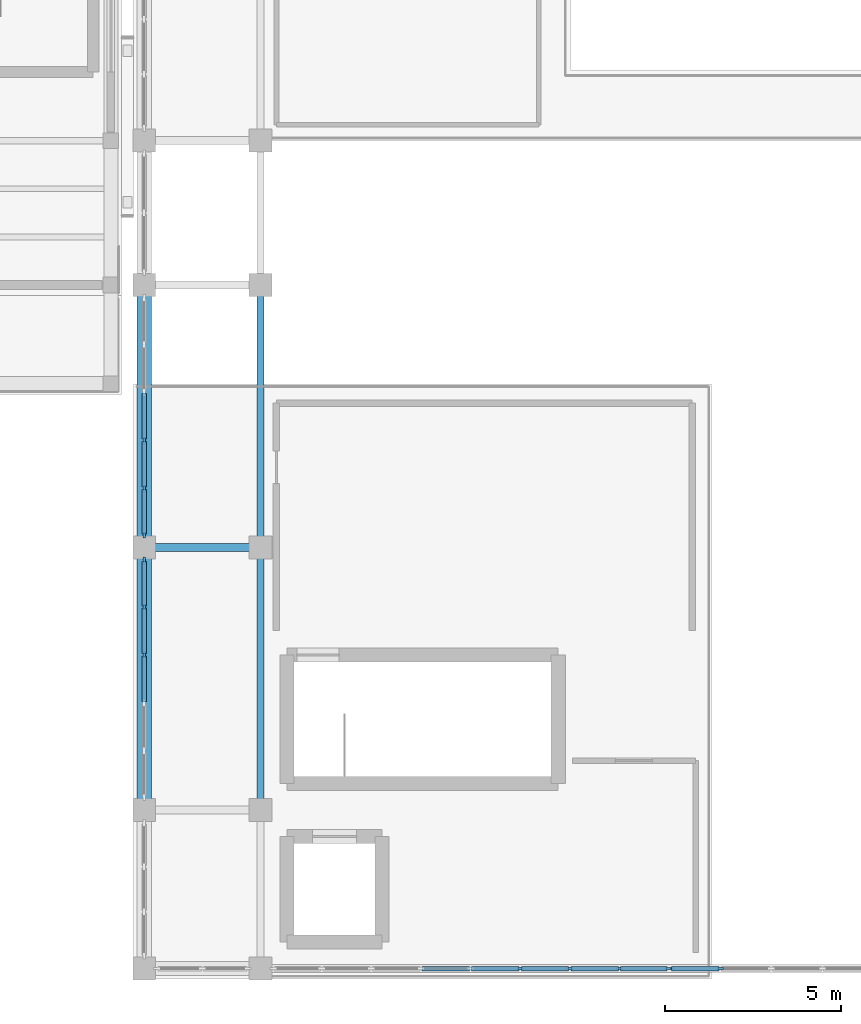
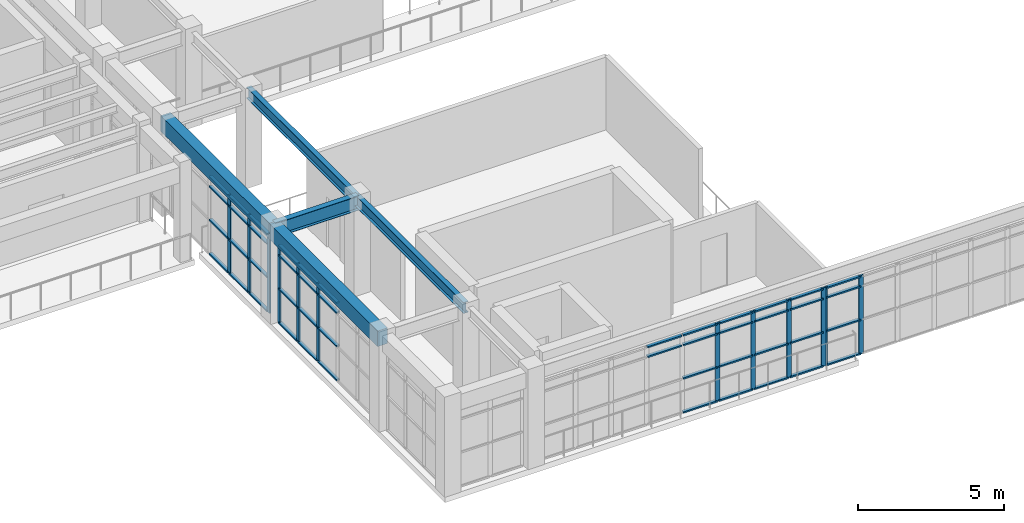
# One storey, part 18 of 66: 58 members, 5 beams, 4 elements without a shape of their own.
"""IFC4 building model written with IfcOpenShell, lengths in metres."""

from ifc_helpers import new_model, si_unit, direction, frame, origin, origin_2d, place, context, subcontext, project, spatial, rectangle, i_section, extrude, material, layer, layer_set, material_profile, profile_set, type_object, element, aggregate, save


model = new_model("IFC4")

# Units and contexts
model_context = context("Model", 3, precision=1e-05, world=origin(), true_north=direction((0.0, 1.0)))
body_context = subcontext(model_context, "Body", "Model", "MODEL_VIEW")
ifc_project = project(units=[si_unit("LENGTHUNIT", "METRE"), si_unit("AREAUNIT", "SQUARE_METRE"), si_unit("VOLUMEUNIT", "CUBIC_METRE"), si_unit("PLANEANGLEUNIT", "RADIAN"), si_unit("MASSUNIT", "GRAM", prefix="KILO")], contexts=[model_context])

# Site, building, storey
site_placement = place(None, origin())
site = spatial("IfcSite", under=ifc_project, at=site_placement, CompositionType="ELEMENT")
building_placement = place(site_placement, origin())
building = spatial("IfcBuilding", under=site, at=building_placement, Name="Candilejo Ridge Gondola Terminal", CompositionType="ELEMENT")
storey_placement = place(building_placement, frame((0.0, 0.0, 14.39990234375)))
storey = spatial("IfcBuildingStorey", under=building, at=storey_placement, Name="L03", CompositionType="ELEMENT", Elevation=14.39990234375)

# Curtain wall, members
ifc_material_1 = material(Name="Anodised aluminium AA 6063-T6", Category="aluminium")
ifc_layer_1 = layer(ifc_material_1, 0.169921875)
ifc_layer_set_1 = layer_set([ifc_layer_1], Name="ARC-CW-HALL-3800-680X329")
curtain_wall_type_1 = type_object("IfcCurtainWallType", Name="ARC-CW-HALL-3800-680X329", PredefinedType="NOTDEFINED", material=ifc_layer_set_1)
curtain_wall_1_placement = place(storey_placement, origin())
curtain_wall_1 = element("IfcCurtainWall", 1, at=curtain_wall_1_placement, inside=storey, type_object=curtain_wall_type_1, Name="Curtain wall V4 L03-154", PredefinedType="NOTDEFINED")
ifc_material_2 = material(Name="Anodised aluminium AA 6063-T6", Category="aluminium")
ifc_material_profile_1 = material_profile(ifc_material_2, rectangle(XDim=0.06494140625, YDim=0.179931640625, at=origin_2d()))
ifc_profile_set_1 = profile_set([ifc_material_profile_1], Name="Anodised aluminium AA 6063-T6")
member_type_1 = type_object("IfcMemberType", Name="ARC-CW-MULLION-180", PredefinedType="MULLION", material=ifc_profile_set_1)
member_1_placement = place(storey_placement, frame((133.89990234375, 15.205078125, 0.0), z_axis=(0.0, 0.0, 1.0), x_axis=(-1.0, 0.0, 0.0)))
member_1 = element("IfcMember", 2, at=member_1_placement, type_object=member_type_1, Name="CW-68X32 mullion 4", PredefinedType="MULLION", context=body_context, shape_type="SweptSolid", body=[
    extrude(rectangle(XDim=0.06494140625, YDim=0.179931640625, at=origin_2d()), origin(), (0.0, 0.0, 1.0), 3.2900390625),
])
member_2_placement = place(storey_placement, frame((133.89990234375, 16.56494140625, 0.0), z_axis=(0.0, 0.0, 1.0), x_axis=(-1.0, 0.0, 0.0)))
member_2 = element("IfcMember", 3, at=member_2_placement, type_object=member_type_1, Name="CW-68X32 mullion 5", PredefinedType="MULLION", context=body_context, shape_type="SweptSolid", body=[
    extrude(rectangle(XDim=0.06494140625, YDim=0.179931640625, at=origin_2d()), origin(), (0.0, 0.0, 1.0), 3.2900390625),
])
member_3_placement = place(storey_placement, frame((133.89990234375, 17.892578125, 0.0), z_axis=(0.0, 0.0, 1.0), x_axis=(-1.0, 0.0, 0.0)))
member_3 = element("IfcMember", 4, at=member_3_placement, type_object=member_type_1, Name="CW-68X32 mullion 6", PredefinedType="MULLION", context=body_context, shape_type="SweptSolid", body=[
    extrude(rectangle(XDim=0.06494140625, YDim=0.179931640625, at=origin_2d()), origin(), (0.0, 0.0, 1.0), 3.2900390625),
])

curtain_wall_2_placement = place(storey_placement, origin())
curtain_wall_2 = element("IfcCurtainWall", 5, at=curtain_wall_2_placement, inside=storey, type_object=curtain_wall_type_1, Name="Curtain wall V4 L03-155", PredefinedType="NOTDEFINED")
member_4_placement = place(storey_placement, frame((133.89990234375, 18.607421875, 0.0), z_axis=(0.0, 0.0, 1.0), x_axis=(-1.0, 0.0, 0.0)))
member_4 = element("IfcMember", 6, at=member_4_placement, type_object=member_type_1, Name="CW-68X32 mullion 1", PredefinedType="MULLION", context=body_context, shape_type="SweptSolid", body=[
    extrude(rectangle(XDim=0.06494140625, YDim=0.179931640625, at=origin_2d()), origin(), (0.0, 0.0, 1.0), 3.2900390625),
])
member_5_placement = place(storey_placement, frame((133.89990234375, 19.93505859375, 0.0), z_axis=(0.0, 0.0, 1.0), x_axis=(-1.0, 0.0, 0.0)))
member_5 = element("IfcMember", 7, at=member_5_placement, type_object=member_type_1, Name="CW-68X32 mullion 2", PredefinedType="MULLION", context=body_context, shape_type="SweptSolid", body=[
    extrude(rectangle(XDim=0.06494140625, YDim=0.179931640625, at=origin_2d()), origin(), (0.0, 0.0, 1.0), 3.2900390625),
])
member_6_placement = place(storey_placement, frame((133.89990234375, 21.294921875, 0.0), z_axis=(0.0, 0.0, 1.0), x_axis=(-1.0, 0.0, 0.0)))
member_6 = element("IfcMember", 8, at=member_6_placement, type_object=member_type_1, Name="CW-68X32 mullion 3", PredefinedType="MULLION", context=body_context, shape_type="SweptSolid", body=[
    extrude(rectangle(XDim=0.06494140625, YDim=0.179931640625, at=origin_2d()), origin(), (0.0, 0.0, 1.0), 3.2900390625),
])

ifc_material_3 = material(Name="Anodised aluminium AA 6063-T6", Category="aluminium")
ifc_layer_2 = layer(ifc_material_3, 0.169921875)
ifc_layer_set_2 = layer_set([ifc_layer_2], Name="ARC-CW-HALL-3800-1128X329")
curtain_wall_type_2 = type_object("IfcCurtainWallType", Name="ARC-CW-HALL-3800-1128X329", PredefinedType="NOTDEFINED", material=ifc_layer_set_2)
curtain_wall_3_placement = place(storey_placement, origin())
curtain_wall_3 = element("IfcCurtainWall", 9, at=curtain_wall_3_placement, inside=storey, type_object=curtain_wall_type_2, Name="Curtain wall V4 L03-166", PredefinedType="NOTDEFINED")
member_7_placement = place(storey_placement, frame((144.57177734375, 6.300048828125, 0.0), z_axis=(0.0, 0.0, 1.0), x_axis=(0.0, 1.0, 0.0)))
member_7 = element("IfcMember", 10, at=member_7_placement, type_object=member_type_1, Name="CW-112X32 mullion 6", PredefinedType="MULLION", context=body_context, shape_type="SweptSolid", body=[
    extrude(rectangle(XDim=0.06494140625, YDim=0.179931640625, at=origin_2d()), origin(), (0.0, 0.0, 1.0), 3.2900390625),
])
member_8_placement = place(storey_placement, frame((145.981201171875, 6.300048828125, 0.0), z_axis=(0.0, 0.0, 1.0), x_axis=(0.0, 1.0, 0.0)))
member_8 = element("IfcMember", 11, at=member_8_placement, type_object=member_type_1, Name="CW-112X32 mullion 7", PredefinedType="MULLION", context=body_context, shape_type="SweptSolid", body=[
    extrude(rectangle(XDim=0.06494140625, YDim=0.179931640625, at=origin_2d()), origin(), (0.0, 0.0, 1.0), 3.2900390625),
])
member_9_placement = place(storey_placement, frame((147.390625, 6.300048828125, 0.0), z_axis=(0.0, 0.0, 1.0), x_axis=(0.0, 1.0, 0.0)))
member_9 = element("IfcMember", 12, at=member_9_placement, type_object=member_type_1, Name="CW-112X32 mullion 8", PredefinedType="MULLION", context=body_context, shape_type="SweptSolid", body=[
    extrude(rectangle(XDim=0.06494140625, YDim=0.179931640625, at=origin_2d()), origin(), (0.0, 0.0, 1.0), 3.2900390625),
])
member_10_placement = place(storey_placement, frame((148.767578125, 6.300048828125, 0.0), z_axis=(0.0, 0.0, 1.0), x_axis=(0.0, 1.0, 0.0)))
member_10 = element("IfcMember", 13, at=member_10_placement, type_object=member_type_1, Name="CW-112X32 mullion 9", PredefinedType="MULLION", context=body_context, shape_type="SweptSolid", body=[
    extrude(rectangle(XDim=0.06494140625, YDim=0.179931640625, at=origin_2d()), origin(), (0.0, 0.0, 1.0), 3.2900390625),
])

ifc_material_4 = material(Name="Anodised aluminium AA 6063-T6", Category="aluminium")
ifc_layer_3 = layer(ifc_material_4, 0.169921875)
ifc_layer_set_3 = layer_set([ifc_layer_3], Name="ARC-CW-HALL-3800-1160X329")
curtain_wall_type_3 = type_object("IfcCurtainWallType", Name="ARC-CW-HALL-3800-1160X329", PredefinedType="NOTDEFINED", material=ifc_layer_set_3)
curtain_wall_4_placement = place(storey_placement, origin())
curtain_wall_4 = element("IfcCurtainWall", 14, at=curtain_wall_4_placement, inside=storey, type_object=curtain_wall_type_3, Name="Curtain wall V4 L03-167", PredefinedType="NOTDEFINED")
member_11_placement = place(storey_placement, frame((148.83251953125, 6.300048828125, 0.0), z_axis=(0.0, 0.0, 1.0), x_axis=(0.0, 1.0, 0.0)))
member_11 = element("IfcMember", 15, at=member_11_placement, type_object=member_type_1, Name="CW-116X32 mullion 1", PredefinedType="MULLION", context=body_context, shape_type="SweptSolid", body=[
    extrude(rectangle(XDim=0.06494140625, YDim=0.179931640625, at=origin_2d()), origin(), (0.0, 0.0, 1.0), 3.2900390625),
])
member_12_placement = place(storey_placement, frame((150.25, 6.300048828125, 0.0), z_axis=(0.0, 0.0, 1.0), x_axis=(0.0, 1.0, 0.0)))
member_12 = element("IfcMember", 16, at=member_12_placement, type_object=member_type_1, Name="CW-116X32 mullion 2", PredefinedType="MULLION", context=body_context, shape_type="SweptSolid", body=[
    extrude(rectangle(XDim=0.06494140625, YDim=0.179931640625, at=origin_2d()), origin(), (0.0, 0.0, 1.0), 3.2900390625),
])

# Member
ifc_material_5 = material(Name="Anodised aluminium AA 6063-T6", Category="aluminium")
ifc_material_profile_2 = material_profile(ifc_material_5, rectangle(XDim=0.1298828125, YDim=0.06005859375, at=origin_2d()))
ifc_profile_set_2 = profile_set([ifc_material_profile_2], Name="Anodised aluminium AA 6063-T6")
member_type_2 = type_object("IfcMemberType", Name="ARC-CW-TRANSOM-130", PredefinedType="USERDEFINED", material=ifc_profile_set_2)
member_13_placement = place(storey_placement, frame((133.89990234375, 13.87744140625, 0.030029296875), z_axis=(0.0, 1.0, 0.0), x_axis=(-1.0, 0.0, 0.0)))
member_13 = element("IfcMember", 17, at=member_13_placement, type_object=member_type_2, Name="CW-68X32 transom 3.1", ObjectType="TRANSOM", PredefinedType="USERDEFINED", context=body_context, shape_type="SweptSolid", body=[
    extrude(rectangle(XDim=0.1298828125, YDim=0.06005859375, at=origin_2d()), origin(), (0.0, 0.0, 1.0), 1.295166015625),
])

member_14_placement = place(storey_placement, frame((133.89990234375, 13.87744140625, 1.4501953125), z_axis=(0.0, 1.0, 0.0), x_axis=(-1.0, 0.0, 0.0)))
member_14 = element("IfcMember", 18, at=member_14_placement, type_object=member_type_2, Name="CW-68X32 transom 3.2", ObjectType="TRANSOM", PredefinedType="USERDEFINED", context=body_context, shape_type="SweptSolid", body=[
    extrude(rectangle(XDim=0.1298828125, YDim=0.06005859375, at=origin_2d()), origin(), (0.0, 0.0, 1.0), 1.295166015625),
])

member_15_placement = place(storey_placement, frame((133.89990234375, 13.87744140625, 2.85009765625), z_axis=(0.0, 1.0, 0.0), x_axis=(-1.0, 0.0, 0.0)))
member_15 = element("IfcMember", 19, at=member_15_placement, type_object=member_type_2, Name="CW-68X32 transom 3.3", ObjectType="TRANSOM", PredefinedType="USERDEFINED", context=body_context, shape_type="SweptSolid", body=[
    extrude(rectangle(XDim=0.1298828125, YDim=0.06005859375, at=origin_2d()), origin(), (0.0, 0.0, 1.0), 1.295166015625),
])

member_16_placement = place(storey_placement, frame((133.89990234375, 13.87744140625, 3.260009765625), z_axis=(0.0, 1.0, 0.0), x_axis=(-1.0, 0.0, 0.0)))
member_16 = element("IfcMember", 20, at=member_16_placement, type_object=member_type_2, Name="CW-68X32 transom 3.4", ObjectType="TRANSOM", PredefinedType="USERDEFINED", context=body_context, shape_type="SweptSolid", body=[
    extrude(rectangle(XDim=0.1298828125, YDim=0.06005859375, at=origin_2d()), origin(), (0.0, 0.0, 1.0), 1.295166015625),
])

member_17_placement = place(storey_placement, frame((133.89990234375, 15.237548828125, 0.030029296875), z_axis=(0.0, 1.0, 0.0), x_axis=(-1.0, 0.0, 0.0)))
member_17 = element("IfcMember", 21, at=member_17_placement, type_object=member_type_2, Name="CW-68X32 transom 4.1", ObjectType="TRANSOM", PredefinedType="USERDEFINED", context=body_context, shape_type="SweptSolid", body=[
    extrude(rectangle(XDim=0.1298828125, YDim=0.06005859375, at=origin_2d()), origin(), (0.0, 0.0, 1.0), 1.294921875),
])

member_18_placement = place(storey_placement, frame((133.89990234375, 15.237548828125, 1.4501953125), z_axis=(0.0, 1.0, 0.0), x_axis=(-1.0, 0.0, 0.0)))
member_18 = element("IfcMember", 22, at=member_18_placement, type_object=member_type_2, Name="CW-68X32 transom 4.2", ObjectType="TRANSOM", PredefinedType="USERDEFINED", context=body_context, shape_type="SweptSolid", body=[
    extrude(rectangle(XDim=0.1298828125, YDim=0.06005859375, at=origin_2d()), origin(), (0.0, 0.0, 1.0), 1.294921875),
])

member_19_placement = place(storey_placement, frame((133.89990234375, 15.237548828125, 2.85009765625), z_axis=(0.0, 1.0, 0.0), x_axis=(-1.0, 0.0, 0.0)))
member_19 = element("IfcMember", 23, at=member_19_placement, type_object=member_type_2, Name="CW-68X32 transom 4.3", ObjectType="TRANSOM", PredefinedType="USERDEFINED", context=body_context, shape_type="SweptSolid", body=[
    extrude(rectangle(XDim=0.1298828125, YDim=0.06005859375, at=origin_2d()), origin(), (0.0, 0.0, 1.0), 1.294921875),
])

member_20_placement = place(storey_placement, frame((133.89990234375, 15.237548828125, 3.260009765625), z_axis=(0.0, 1.0, 0.0), x_axis=(-1.0, 0.0, 0.0)))
member_20 = element("IfcMember", 24, at=member_20_placement, type_object=member_type_2, Name="CW-68X32 transom 4.4", ObjectType="TRANSOM", PredefinedType="USERDEFINED", context=body_context, shape_type="SweptSolid", body=[
    extrude(rectangle(XDim=0.1298828125, YDim=0.06005859375, at=origin_2d()), origin(), (0.0, 0.0, 1.0), 1.294921875),
])

member_21_placement = place(storey_placement, frame((133.89990234375, 16.597412109375, 0.030029296875), z_axis=(0.0, 1.0, 0.0), x_axis=(-1.0, 0.0, 0.0)))
member_21 = element("IfcMember", 25, at=member_21_placement, type_object=member_type_2, Name="CW-68X32 transom 5.1", ObjectType="TRANSOM", PredefinedType="USERDEFINED", context=body_context, shape_type="SweptSolid", body=[
    extrude(rectangle(XDim=0.1298828125, YDim=0.06005859375, at=origin_2d()), origin(), (0.0, 0.0, 1.0), 1.2626953125),
])

member_22_placement = place(storey_placement, frame((133.89990234375, 16.597412109375, 1.4501953125), z_axis=(0.0, 1.0, 0.0), x_axis=(-1.0, 0.0, 0.0)))
member_22 = element("IfcMember", 26, at=member_22_placement, type_object=member_type_2, Name="CW-68X32 transom 5.2", ObjectType="TRANSOM", PredefinedType="USERDEFINED", context=body_context, shape_type="SweptSolid", body=[
    extrude(rectangle(XDim=0.1298828125, YDim=0.06005859375, at=origin_2d()), origin(), (0.0, 0.0, 1.0), 1.2626953125),
])

member_23_placement = place(storey_placement, frame((133.89990234375, 16.597412109375, 2.85009765625), z_axis=(0.0, 1.0, 0.0), x_axis=(-1.0, 0.0, 0.0)))
member_23 = element("IfcMember", 27, at=member_23_placement, type_object=member_type_2, Name="CW-68X32 transom 5.3", ObjectType="TRANSOM", PredefinedType="USERDEFINED", context=body_context, shape_type="SweptSolid", body=[
    extrude(rectangle(XDim=0.1298828125, YDim=0.06005859375, at=origin_2d()), origin(), (0.0, 0.0, 1.0), 1.2626953125),
])

member_24_placement = place(storey_placement, frame((133.89990234375, 16.597412109375, 3.260009765625), z_axis=(0.0, 1.0, 0.0), x_axis=(-1.0, 0.0, 0.0)))
member_24 = element("IfcMember", 28, at=member_24_placement, type_object=member_type_2, Name="CW-68X32 transom 5.4", ObjectType="TRANSOM", PredefinedType="USERDEFINED", context=body_context, shape_type="SweptSolid", body=[
    extrude(rectangle(XDim=0.1298828125, YDim=0.06005859375, at=origin_2d()), origin(), (0.0, 0.0, 1.0), 1.2626953125),
])

aggregate(curtain_wall_1, [member_1, member_2, member_3, member_13, member_14, member_15, member_16, member_17, member_18, member_19, member_20, member_21, member_22, member_23, member_24])

member_25_placement = place(storey_placement, frame((133.89990234375, 18.639892578125, 0.030029296875), z_axis=(0.0, 1.0, 0.0), x_axis=(-1.0, 0.0, 0.0)))
member_25 = element("IfcMember", 29, at=member_25_placement, type_object=member_type_2, Name="CW-68X32 transom 1.1", ObjectType="TRANSOM", PredefinedType="USERDEFINED", context=body_context, shape_type="SweptSolid", body=[
    extrude(rectangle(XDim=0.1298828125, YDim=0.06005859375, at=origin_2d()), origin(), (0.0, 0.0, 1.0), 1.2626953125),
])

member_26_placement = place(storey_placement, frame((133.89990234375, 18.639892578125, 1.4501953125), z_axis=(0.0, 1.0, 0.0), x_axis=(-1.0, 0.0, 0.0)))
member_26 = element("IfcMember", 30, at=member_26_placement, type_object=member_type_2, Name="CW-68X32 transom 1.2", ObjectType="TRANSOM", PredefinedType="USERDEFINED", context=body_context, shape_type="SweptSolid", body=[
    extrude(rectangle(XDim=0.1298828125, YDim=0.06005859375, at=origin_2d()), origin(), (0.0, 0.0, 1.0), 1.2626953125),
])

member_27_placement = place(storey_placement, frame((133.89990234375, 18.639892578125, 2.85009765625), z_axis=(0.0, 1.0, 0.0), x_axis=(-1.0, 0.0, 0.0)))
member_27 = element("IfcMember", 31, at=member_27_placement, type_object=member_type_2, Name="CW-68X32 transom 1.3", ObjectType="TRANSOM", PredefinedType="USERDEFINED", context=body_context, shape_type="SweptSolid", body=[
    extrude(rectangle(XDim=0.1298828125, YDim=0.06005859375, at=origin_2d()), origin(), (0.0, 0.0, 1.0), 1.2626953125),
])

member_28_placement = place(storey_placement, frame((133.89990234375, 18.639892578125, 3.260009765625), z_axis=(0.0, 1.0, 0.0), x_axis=(-1.0, 0.0, 0.0)))
member_28 = element("IfcMember", 32, at=member_28_placement, type_object=member_type_2, Name="CW-68X32 transom 1.4", ObjectType="TRANSOM", PredefinedType="USERDEFINED", context=body_context, shape_type="SweptSolid", body=[
    extrude(rectangle(XDim=0.1298828125, YDim=0.06005859375, at=origin_2d()), origin(), (0.0, 0.0, 1.0), 1.2626953125),
])

member_29_placement = place(storey_placement, frame((133.89990234375, 19.967529296875, 0.030029296875), z_axis=(0.0, 1.0, 0.0), x_axis=(-1.0, 0.0, 0.0)))
member_29 = element("IfcMember", 33, at=member_29_placement, type_object=member_type_2, Name="CW-68X32 transom 2.1", ObjectType="TRANSOM", PredefinedType="USERDEFINED", context=body_context, shape_type="SweptSolid", body=[
    extrude(rectangle(XDim=0.1298828125, YDim=0.06005859375, at=origin_2d()), origin(), (0.0, 0.0, 1.0), 1.294921875),
])

member_30_placement = place(storey_placement, frame((133.89990234375, 19.967529296875, 1.4501953125), z_axis=(0.0, 1.0, 0.0), x_axis=(-1.0, 0.0, 0.0)))
member_30 = element("IfcMember", 34, at=member_30_placement, type_object=member_type_2, Name="CW-68X32 transom 2.2", ObjectType="TRANSOM", PredefinedType="USERDEFINED", context=body_context, shape_type="SweptSolid", body=[
    extrude(rectangle(XDim=0.1298828125, YDim=0.06005859375, at=origin_2d()), origin(), (0.0, 0.0, 1.0), 1.294921875),
])

member_31_placement = place(storey_placement, frame((133.89990234375, 19.967529296875, 2.85009765625), z_axis=(0.0, 1.0, 0.0), x_axis=(-1.0, 0.0, 0.0)))
member_31 = element("IfcMember", 35, at=member_31_placement, type_object=member_type_2, Name="CW-68X32 transom 2.3", ObjectType="TRANSOM", PredefinedType="USERDEFINED", context=body_context, shape_type="SweptSolid", body=[
    extrude(rectangle(XDim=0.1298828125, YDim=0.06005859375, at=origin_2d()), origin(), (0.0, 0.0, 1.0), 1.294921875),
])

member_32_placement = place(storey_placement, frame((133.89990234375, 19.967529296875, 3.260009765625), z_axis=(0.0, 1.0, 0.0), x_axis=(-1.0, 0.0, 0.0)))
member_32 = element("IfcMember", 36, at=member_32_placement, type_object=member_type_2, Name="CW-68X32 transom 2.4", ObjectType="TRANSOM", PredefinedType="USERDEFINED", context=body_context, shape_type="SweptSolid", body=[
    extrude(rectangle(XDim=0.1298828125, YDim=0.06005859375, at=origin_2d()), origin(), (0.0, 0.0, 1.0), 1.294921875),
])

member_33_placement = place(storey_placement, frame((133.89990234375, 21.327392578125, 0.030029296875), z_axis=(0.0, 1.0, 0.0), x_axis=(-1.0, 0.0, 0.0)))
member_33 = element("IfcMember", 37, at=member_33_placement, type_object=member_type_2, Name="CW-68X32 transom 3.1", ObjectType="TRANSOM", PredefinedType="USERDEFINED", context=body_context, shape_type="SweptSolid", body=[
    extrude(rectangle(XDim=0.1298828125, YDim=0.06005859375, at=origin_2d()), origin(), (0.0, 0.0, 1.0), 1.295166015625),
])

member_34_placement = place(storey_placement, frame((133.89990234375, 21.327392578125, 1.4501953125), z_axis=(0.0, 1.0, 0.0), x_axis=(-1.0, 0.0, 0.0)))
member_34 = element("IfcMember", 38, at=member_34_placement, type_object=member_type_2, Name="CW-68X32 transom 3.2", ObjectType="TRANSOM", PredefinedType="USERDEFINED", context=body_context, shape_type="SweptSolid", body=[
    extrude(rectangle(XDim=0.1298828125, YDim=0.06005859375, at=origin_2d()), origin(), (0.0, 0.0, 1.0), 1.295166015625),
])

member_35_placement = place(storey_placement, frame((133.89990234375, 21.327392578125, 2.85009765625), z_axis=(0.0, 1.0, 0.0), x_axis=(-1.0, 0.0, 0.0)))
member_35 = element("IfcMember", 39, at=member_35_placement, type_object=member_type_2, Name="CW-68X32 transom 3.3", ObjectType="TRANSOM", PredefinedType="USERDEFINED", context=body_context, shape_type="SweptSolid", body=[
    extrude(rectangle(XDim=0.1298828125, YDim=0.06005859375, at=origin_2d()), origin(), (0.0, 0.0, 1.0), 1.295166015625),
])

member_36_placement = place(storey_placement, frame((133.89990234375, 21.327392578125, 3.260009765625), z_axis=(0.0, 1.0, 0.0), x_axis=(-1.0, 0.0, 0.0)))
member_36 = element("IfcMember", 40, at=member_36_placement, type_object=member_type_2, Name="CW-68X32 transom 3.4", ObjectType="TRANSOM", PredefinedType="USERDEFINED", context=body_context, shape_type="SweptSolid", body=[
    extrude(rectangle(XDim=0.1298828125, YDim=0.06005859375, at=origin_2d()), origin(), (0.0, 0.0, 1.0), 1.295166015625),
])

aggregate(curtain_wall_2, [member_4, member_5, member_6, member_25, member_26, member_27, member_28, member_29, member_30, member_31, member_32, member_33, member_34, member_35, member_36])

member_37_placement = place(storey_placement, frame((141.78564453125, 6.300048828125, 2.85009765625), z_axis=(1.0, 0.0, 0.0), x_axis=(0.0, 1.0, 0.0)))
member_37 = element("IfcMember", 41, at=member_37_placement, type_object=member_type_2, Name="CW-112X32 transom 4.3", ObjectType="TRANSOM", PredefinedType="USERDEFINED", context=body_context, shape_type="SweptSolid", body=[
    extrude(rectangle(XDim=0.1298828125, YDim=0.06005859375, at=origin_2d()), origin(), (0.0, 0.0, 1.0), 1.34423828125),
])

member_38_placement = place(storey_placement, frame((141.78564453125, 6.300048828125, 3.260009765625), z_axis=(1.0, 0.0, 0.0), x_axis=(0.0, 1.0, 0.0)))
member_38 = element("IfcMember", 42, at=member_38_placement, type_object=member_type_2, Name="CW-112X32 transom 4.4", ObjectType="TRANSOM", PredefinedType="USERDEFINED", context=body_context, shape_type="SweptSolid", body=[
    extrude(rectangle(XDim=0.1298828125, YDim=0.06005859375, at=origin_2d()), origin(), (0.0, 0.0, 1.0), 1.34423828125),
])

member_39_placement = place(storey_placement, frame((143.195068359375, 6.300048828125, 0.030029296875), z_axis=(1.0, 0.0, 0.0), x_axis=(0.0, 1.0, 0.0)))
member_39 = element("IfcMember", 43, at=member_39_placement, type_object=member_type_2, Name="CW-112X32 transom 5.1", ObjectType="TRANSOM", PredefinedType="USERDEFINED", context=body_context, shape_type="SweptSolid", body=[
    extrude(rectangle(XDim=0.1298828125, YDim=0.06005859375, at=origin_2d()), origin(), (0.0, 0.0, 1.0), 1.34423828125),
])

member_40_placement = place(storey_placement, frame((143.195068359375, 6.300048828125, 1.4501953125), z_axis=(1.0, 0.0, 0.0), x_axis=(0.0, 1.0, 0.0)))
member_40 = element("IfcMember", 44, at=member_40_placement, type_object=member_type_2, Name="CW-112X32 transom 5.2", ObjectType="TRANSOM", PredefinedType="USERDEFINED", context=body_context, shape_type="SweptSolid", body=[
    extrude(rectangle(XDim=0.1298828125, YDim=0.06005859375, at=origin_2d()), origin(), (0.0, 0.0, 1.0), 1.34423828125),
])

member_41_placement = place(storey_placement, frame((143.195068359375, 6.300048828125, 2.85009765625), z_axis=(1.0, 0.0, 0.0), x_axis=(0.0, 1.0, 0.0)))
member_41 = element("IfcMember", 45, at=member_41_placement, type_object=member_type_2, Name="CW-112X32 transom 5.3", ObjectType="TRANSOM", PredefinedType="USERDEFINED", context=body_context, shape_type="SweptSolid", body=[
    extrude(rectangle(XDim=0.1298828125, YDim=0.06005859375, at=origin_2d()), origin(), (0.0, 0.0, 1.0), 1.34423828125),
])

member_42_placement = place(storey_placement, frame((143.195068359375, 6.300048828125, 3.260009765625), z_axis=(1.0, 0.0, 0.0), x_axis=(0.0, 1.0, 0.0)))
member_42 = element("IfcMember", 46, at=member_42_placement, type_object=member_type_2, Name="CW-112X32 transom 5.4", ObjectType="TRANSOM", PredefinedType="USERDEFINED", context=body_context, shape_type="SweptSolid", body=[
    extrude(rectangle(XDim=0.1298828125, YDim=0.06005859375, at=origin_2d()), origin(), (0.0, 0.0, 1.0), 1.34423828125),
])

member_43_placement = place(storey_placement, frame((144.6044921875, 6.300048828125, 0.030029296875), z_axis=(1.0, 0.0, 0.0), x_axis=(0.0, 1.0, 0.0)))
member_43 = element("IfcMember", 47, at=member_43_placement, type_object=member_type_2, Name="CW-112X32 transom 6.1", ObjectType="TRANSOM", PredefinedType="USERDEFINED", context=body_context, shape_type="SweptSolid", body=[
    extrude(rectangle(XDim=0.1298828125, YDim=0.06005859375, at=origin_2d()), origin(), (0.0, 0.0, 1.0), 1.34423828125),
])

member_44_placement = place(storey_placement, frame((144.6044921875, 6.300048828125, 1.4501953125), z_axis=(1.0, 0.0, 0.0), x_axis=(0.0, 1.0, 0.0)))
member_44 = element("IfcMember", 48, at=member_44_placement, type_object=member_type_2, Name="CW-112X32 transom 6.2", ObjectType="TRANSOM", PredefinedType="USERDEFINED", context=body_context, shape_type="SweptSolid", body=[
    extrude(rectangle(XDim=0.1298828125, YDim=0.06005859375, at=origin_2d()), origin(), (0.0, 0.0, 1.0), 1.34423828125),
])

member_45_placement = place(storey_placement, frame((144.6044921875, 6.300048828125, 2.85009765625), z_axis=(1.0, 0.0, 0.0), x_axis=(0.0, 1.0, 0.0)))
member_45 = element("IfcMember", 49, at=member_45_placement, type_object=member_type_2, Name="CW-112X32 transom 6.3", ObjectType="TRANSOM", PredefinedType="USERDEFINED", context=body_context, shape_type="SweptSolid", body=[
    extrude(rectangle(XDim=0.1298828125, YDim=0.06005859375, at=origin_2d()), origin(), (0.0, 0.0, 1.0), 1.34423828125),
])

member_46_placement = place(storey_placement, frame((144.6044921875, 6.300048828125, 3.260009765625), z_axis=(1.0, 0.0, 0.0), x_axis=(0.0, 1.0, 0.0)))
member_46 = element("IfcMember", 50, at=member_46_placement, type_object=member_type_2, Name="CW-112X32 transom 6.4", ObjectType="TRANSOM", PredefinedType="USERDEFINED", context=body_context, shape_type="SweptSolid", body=[
    extrude(rectangle(XDim=0.1298828125, YDim=0.06005859375, at=origin_2d()), origin(), (0.0, 0.0, 1.0), 1.34423828125),
])

member_47_placement = place(storey_placement, frame((146.013671875, 6.300048828125, 0.030029296875), z_axis=(1.0, 0.0, 0.0), x_axis=(0.0, 1.0, 0.0)))
member_47 = element("IfcMember", 51, at=member_47_placement, type_object=member_type_2, Name="CW-112X32 transom 7.1", ObjectType="TRANSOM", PredefinedType="USERDEFINED", context=body_context, shape_type="SweptSolid", body=[
    extrude(rectangle(XDim=0.1298828125, YDim=0.06005859375, at=origin_2d()), origin(), (0.0, 0.0, 1.0), 1.344482421875),
])

member_48_placement = place(storey_placement, frame((146.013671875, 6.300048828125, 1.4501953125), z_axis=(1.0, 0.0, 0.0), x_axis=(0.0, 1.0, 0.0)))
member_48 = element("IfcMember", 52, at=member_48_placement, type_object=member_type_2, Name="CW-112X32 transom 7.2", ObjectType="TRANSOM", PredefinedType="USERDEFINED", context=body_context, shape_type="SweptSolid", body=[
    extrude(rectangle(XDim=0.1298828125, YDim=0.06005859375, at=origin_2d()), origin(), (0.0, 0.0, 1.0), 1.344482421875),
])

member_49_placement = place(storey_placement, frame((146.013671875, 6.300048828125, 2.85009765625), z_axis=(1.0, 0.0, 0.0), x_axis=(0.0, 1.0, 0.0)))
member_49 = element("IfcMember", 53, at=member_49_placement, type_object=member_type_2, Name="CW-112X32 transom 7.3", ObjectType="TRANSOM", PredefinedType="USERDEFINED", context=body_context, shape_type="SweptSolid", body=[
    extrude(rectangle(XDim=0.1298828125, YDim=0.06005859375, at=origin_2d()), origin(), (0.0, 0.0, 1.0), 1.344482421875),
])

member_50_placement = place(storey_placement, frame((146.013671875, 6.300048828125, 3.260009765625), z_axis=(1.0, 0.0, 0.0), x_axis=(0.0, 1.0, 0.0)))
member_50 = element("IfcMember", 54, at=member_50_placement, type_object=member_type_2, Name="CW-112X32 transom 7.4", ObjectType="TRANSOM", PredefinedType="USERDEFINED", context=body_context, shape_type="SweptSolid", body=[
    extrude(rectangle(XDim=0.1298828125, YDim=0.06005859375, at=origin_2d()), origin(), (0.0, 0.0, 1.0), 1.344482421875),
])

member_51_placement = place(storey_placement, frame((147.423095703125, 6.300048828125, 0.030029296875), z_axis=(1.0, 0.0, 0.0), x_axis=(0.0, 1.0, 0.0)))
member_51 = element("IfcMember", 55, at=member_51_placement, type_object=member_type_2, Name="CW-112X32 transom 8.1", ObjectType="TRANSOM", PredefinedType="USERDEFINED", context=body_context, shape_type="SweptSolid", body=[
    extrude(rectangle(XDim=0.1298828125, YDim=0.06005859375, at=origin_2d()), origin(), (0.0, 0.0, 1.0), 1.31201171875),
])

member_52_placement = place(storey_placement, frame((147.423095703125, 6.300048828125, 1.4501953125), z_axis=(1.0, 0.0, 0.0), x_axis=(0.0, 1.0, 0.0)))
member_52 = element("IfcMember", 56, at=member_52_placement, type_object=member_type_2, Name="CW-112X32 transom 8.2", ObjectType="TRANSOM", PredefinedType="USERDEFINED", context=body_context, shape_type="SweptSolid", body=[
    extrude(rectangle(XDim=0.1298828125, YDim=0.06005859375, at=origin_2d()), origin(), (0.0, 0.0, 1.0), 1.31201171875),
])

member_53_placement = place(storey_placement, frame((147.423095703125, 6.300048828125, 2.85009765625), z_axis=(1.0, 0.0, 0.0), x_axis=(0.0, 1.0, 0.0)))
member_53 = element("IfcMember", 57, at=member_53_placement, type_object=member_type_2, Name="CW-112X32 transom 8.3", ObjectType="TRANSOM", PredefinedType="USERDEFINED", context=body_context, shape_type="SweptSolid", body=[
    extrude(rectangle(XDim=0.1298828125, YDim=0.06005859375, at=origin_2d()), origin(), (0.0, 0.0, 1.0), 1.31201171875),
])

member_54_placement = place(storey_placement, frame((147.423095703125, 6.300048828125, 3.260009765625), z_axis=(1.0, 0.0, 0.0), x_axis=(0.0, 1.0, 0.0)))
member_54 = element("IfcMember", 58, at=member_54_placement, type_object=member_type_2, Name="CW-112X32 transom 8.4", ObjectType="TRANSOM", PredefinedType="USERDEFINED", context=body_context, shape_type="SweptSolid", body=[
    extrude(rectangle(XDim=0.1298828125, YDim=0.06005859375, at=origin_2d()), origin(), (0.0, 0.0, 1.0), 1.31201171875),
])

aggregate(curtain_wall_3, [member_7, member_8, member_9, member_10, member_37, member_38, member_39, member_40, member_41, member_42, member_43, member_44, member_45, member_46, member_47, member_48, member_49, member_50, member_51, member_52, member_53, member_54])

member_55_placement = place(storey_placement, frame((148.864990234375, 6.300048828125, 0.030029296875), z_axis=(1.0, 0.0, 0.0), x_axis=(0.0, 1.0, 0.0)))
member_55 = element("IfcMember", 59, at=member_55_placement, type_object=member_type_2, Name="CW-116X32 transom 1.1", ObjectType="TRANSOM", PredefinedType="USERDEFINED", context=body_context, shape_type="SweptSolid", body=[
    extrude(rectangle(XDim=0.1298828125, YDim=0.06005859375, at=origin_2d()), origin(), (0.0, 0.0, 1.0), 1.3525390625),
])

member_56_placement = place(storey_placement, frame((148.864990234375, 6.300048828125, 1.4501953125), z_axis=(1.0, 0.0, 0.0), x_axis=(0.0, 1.0, 0.0)))
member_56 = element("IfcMember", 60, at=member_56_placement, type_object=member_type_2, Name="CW-116X32 transom 1.2", ObjectType="TRANSOM", PredefinedType="USERDEFINED", context=body_context, shape_type="SweptSolid", body=[
    extrude(rectangle(XDim=0.1298828125, YDim=0.06005859375, at=origin_2d()), origin(), (0.0, 0.0, 1.0), 1.3525390625),
])

member_57_placement = place(storey_placement, frame((148.864990234375, 6.300048828125, 2.85009765625), z_axis=(1.0, 0.0, 0.0), x_axis=(0.0, 1.0, 0.0)))
member_57 = element("IfcMember", 61, at=member_57_placement, type_object=member_type_2, Name="CW-116X32 transom 1.3", ObjectType="TRANSOM", PredefinedType="USERDEFINED", context=body_context, shape_type="SweptSolid", body=[
    extrude(rectangle(XDim=0.1298828125, YDim=0.06005859375, at=origin_2d()), origin(), (0.0, 0.0, 1.0), 1.3525390625),
])

member_58_placement = place(storey_placement, frame((148.864990234375, 6.300048828125, 3.260009765625), z_axis=(1.0, 0.0, 0.0), x_axis=(0.0, 1.0, 0.0)))
member_58 = element("IfcMember", 62, at=member_58_placement, type_object=member_type_2, Name="CW-116X32 transom 1.4", ObjectType="TRANSOM", PredefinedType="USERDEFINED", context=body_context, shape_type="SweptSolid", body=[
    extrude(rectangle(XDim=0.1298828125, YDim=0.06005859375, at=origin_2d()), origin(), (0.0, 0.0, 1.0), 1.3525390625),
])

aggregate(curtain_wall_4, [member_11, member_12, member_55, member_56, member_57, member_58])

# Beams
ifc_material_6 = material(Name="Steel ASTM A992 Grade 50", Category="steel")
ifc_material_profile_3 = material_profile(ifc_material_6, i_section(OverallWidth=0.19189453125, OverallDepth=0.462890625, WebThickness=0.010498046875, FlangeThickness=0.017578125, at=origin_2d()))
ifc_profile_set_3 = profile_set([ifc_material_profile_3], Name="Steel ASTM A992 Grade 50")
beam_type_1 = type_object("IfcBeamType", Name="STR-BM-W460X89", PredefinedType="BEAM", material=ifc_profile_set_3)
for number, where, z_axis, x_axis, name in (
    (63, (137.199951171875, 10.800048828125, 3.7685546875), (0.0, 1.0, 0.0), (-1.0, 0.0, 0.0), "Beam Y V4 L03 Y02-Y03@X22"),
    (64, (137.199951171875, 18.25, 3.7685546875), (0.0, 1.0, 0.0), (-1.0, 0.0, 0.0), "Beam Y V4 L03 Y03-Y05@X22"),
):
    element("IfcBeam", number, at=place(storey_placement, frame(where, z_axis=z_axis, x_axis=x_axis)), inside=storey, type_object=beam_type_1, Name=name, PredefinedType="BEAM", context=body_context, shape_type="SweptSolid", body=[
        extrude(i_section(OverallWidth=0.19189453125, OverallDepth=0.462890625, WebThickness=0.010498046875, FlangeThickness=0.017578125, at=origin_2d()), origin(), (0.0, 0.0, 1.0), 7.449951171875),
    ])
ifc_material_7 = material(Name="Steel ASTM A992 Grade 50", Category="steel")
ifc_material_profile_4 = material_profile(ifc_material_7, i_section(OverallWidth=0.22802734375, OverallDepth=0.60302734375, WebThickness=0.010498046875, FlangeThickness=0.014892578125, at=origin_2d()))
ifc_profile_set_4 = profile_set([ifc_material_profile_4], Name="Steel ASTM A992 Grade 50")
beam_type_2 = type_object("IfcBeamType", Name="STR-BM-W610X101", PredefinedType="BEAM", material=ifc_profile_set_4)
beam_placement = place(storey_placement, frame((133.89990234375, 18.25, 3.698486328125), z_axis=(1.0, 0.0, 0.0), x_axis=(0.0, 1.0, 0.0)))
element("IfcBeam", 65, at=beam_placement, inside=storey, type_object=beam_type_2, Name="Beam X V4 L03 X21-X22@Y03", PredefinedType="BEAM", context=body_context, shape_type="SweptSolid", body=[
    extrude(i_section(OverallWidth=0.22802734375, OverallDepth=0.60302734375, WebThickness=0.010498046875, FlangeThickness=0.014892578125, at=origin_2d()), origin(), (0.0, 0.0, 1.0), 3.300048828125),
])
ifc_material_8 = material(Name="Concrete f'c 35 MPa (C35/45)", Category="concrete")
ifc_material_profile_5 = material_profile(ifc_material_8, rectangle(XDim=0.39990234375, YDim=0.64990234375, at=origin_2d()))
ifc_profile_set_5 = profile_set([ifc_material_profile_5], Name="Concrete f'c 35 MPa (C35/45)")
beam_type_3 = type_object("IfcBeamType", Name="STR-SPN-RC400X650", PredefinedType="SPANDREL", material=ifc_profile_set_5)
for number, where, z_axis, x_axis, name in (
    (66, (133.89990234375, 10.800048828125, 3.675048828125), (0.0, 1.0, 0.0), (-1.0, 0.0, 0.0), "Beam Y V4 L03 Y02-Y03@X21"),
    (67, (133.89990234375, 18.25, 3.675048828125), (0.0, 1.0, 0.0), (-1.0, 0.0, 0.0), "Beam Y V4 L03 Y03-Y05@X21"),
):
    element("IfcBeam", number, at=place(storey_placement, frame(where, z_axis=z_axis, x_axis=x_axis)), inside=storey, type_object=beam_type_3, Name=name, PredefinedType="SPANDREL", context=body_context, shape_type="SweptSolid", body=[
        extrude(rectangle(XDim=0.39990234375, YDim=0.64990234375, at=origin_2d()), origin(), (0.0, 0.0, 1.0), 7.449951171875),
    ])

save(model, "model.ifc")
